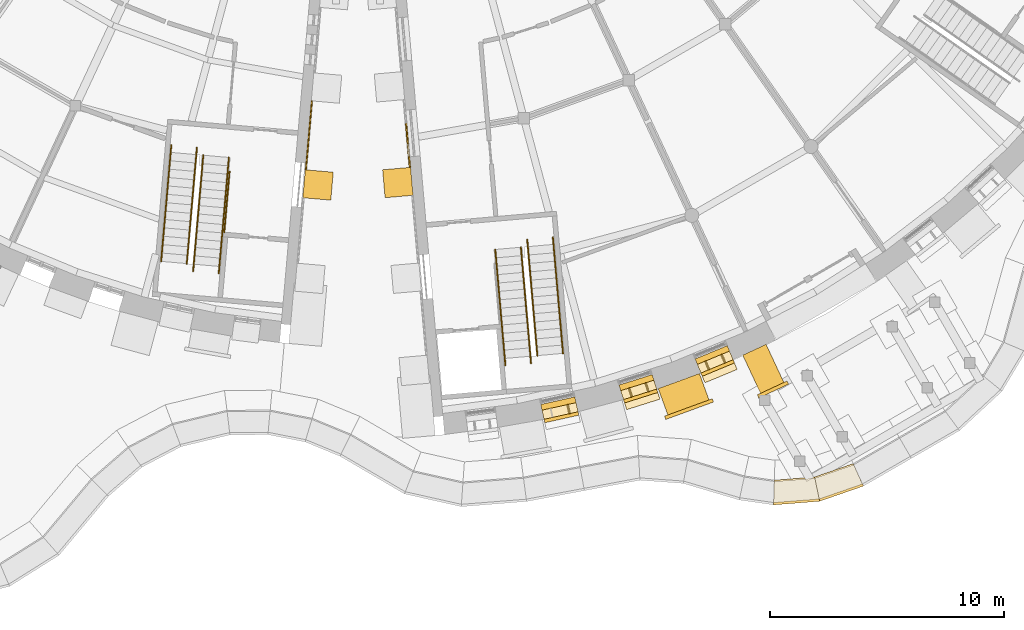
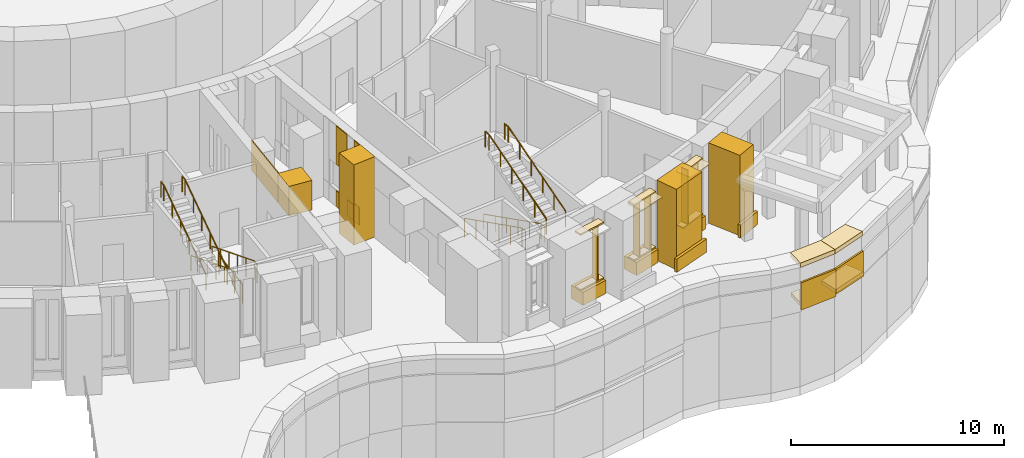
# One storey, part 66 of 85: 34 coverings, 9 railings.
"""IFC4 building model written with IfcOpenShell, lengths in metres."""

from ifc_helpers import new_model, si_unit, direction, frame, origin, origin_2d, place, context, subcontext, project, spatial, polyline, rectangle, circle, outline, extrude, material, layer, layer_set, type_object, element, save


model = new_model("IFC4")

# Units and contexts
model_context = context("Model", 3, precision=1e-05, world=origin(), true_north=direction((0.0, 1.0)))
body_context = subcontext(model_context, "Body", "Model", "MODEL_VIEW")
ifc_project = project(units=[si_unit("LENGTHUNIT", "METRE"), si_unit("AREAUNIT", "SQUARE_METRE"), si_unit("VOLUMEUNIT", "CUBIC_METRE"), si_unit("PLANEANGLEUNIT", "RADIAN"), si_unit("MASSUNIT", "GRAM", prefix="KILO")], contexts=[model_context])

# Site, building, storey
site_placement = place(None, origin())
site = spatial("IfcSite", under=ifc_project, at=site_placement, CompositionType="ELEMENT")
building_placement = place(site_placement, origin())
building = spatial("IfcBuilding", under=site, at=building_placement, Name="Volute Hill Aquarium", CompositionType="ELEMENT")
storey_placement = place(building_placement, origin())
storey = spatial("IfcBuildingStorey", under=building, at=storey_placement, Name="L01", CompositionType="ELEMENT", Elevation=0.0)

# Coverings
ifc_material_1 = material(Name="Blue limestone", Category="masonry")
covering_type_1 = type_object("IfcCoveringType", Name="Bluestone plinth block 275x750", PredefinedType="CLADDING", material=ifc_material_1)
for number, where, z_axis, x_axis, name in (
    (1, (8.627685546875, -38.91748046875, 0.0), (0.0, 0.0, 1.0), (0.976296993237, 0.216435165805, 0.0), "Bluestone plinth BPN S3 L01 2"),
    (2, (11.98681640625, -38.017333984375, 0.0), (0.0, 0.0, 1.0), (0.953713922474, 0.300715403793, 0.0), "Bluestone plinth BPN S3 L01 3"),
    (3, (15.254638671875, -36.827880859375, 0.0), (0.0, 0.0, 1.0), (0.923875360833, 0.382693503532, 0.0), "Bluestone plinth BPN S3 L01 4"),
):
    element("IfcCovering", number, at=place(storey_placement, frame(where, z_axis=z_axis, x_axis=x_axis)), inside=storey, type_object=covering_type_1, Name=name, PredefinedType="CLADDING", context=body_context, shape_type="SweptSolid", body=[
        extrude(rectangle(XDim=1.4892578125, YDim=0.800048828125, at=origin_2d()), origin(), (0.0, 0.0, 1.0), 0.75),
    ])
ifc_material_2 = material(Name="Blue limestone", Category="masonry")
ifc_layer_1 = layer(ifc_material_2, 0.14990234375)
ifc_layer_set_1 = layer_set([ifc_layer_1], Name="Bluestone plinth plate 150x750")
covering_type_2 = type_object("IfcCoveringType", Name="Bluestone plinth plate 150x750", PredefinedType="CLADDING", material=ifc_layer_set_1)
covering_1_placement = place(storey_placement, frame((14.1533203125, -38.885986328125, 0.0), z_axis=(0.0, 0.0, 1.0), x_axis=(0.939692620786, 0.342020143326, 0.0)))
element("IfcCovering", 4, at=covering_1_placement, inside=storey, type_object=covering_type_2, Name="Bluestone plinth BP S3 L01 3", PredefinedType="CLADDING", context=body_context, shape_type="SweptSolid", body=[
    extrude(rectangle(XDim=2.17529296875, YDim=0.14990234375, at=origin_2d()), origin(), (0.0, 0.0, 1.0), 0.75),
])
covering_2_placement = place(storey_placement, frame((17.7421875, -38.048095703125, 0.0), z_axis=(0.0, 0.0, 1.0), x_axis=(0.906307787037, 0.422618261741, 0.0)))
element("IfcCovering", 5, at=covering_2_placement, inside=storey, type_object=covering_type_2, Name="Bluestone plinth BP S3 L01 4", PredefinedType="CLADDING", context=body_context, shape_type="SweptSolid", body=[
    extrude(rectangle(XDim=1.39990234375, YDim=0.14990234375, at=origin_2d()), origin(), (0.0, 0.0, 1.0), 0.75),
])
ifc_material_3 = material(Name="Blue limestone", Category="masonry")
ifc_layer_2 = layer(ifc_material_3, 0.06005859375)
ifc_layer_set_2 = layer_set([ifc_layer_2], Name="End wall plinth blue limestone 60")
covering_type_3 = type_object("IfcCoveringType", Name="End wall plinth blue limestone 60", PredefinedType="CLADDING", material=ifc_layer_set_2)
covering_3_placement = place(storey_placement, frame((2.02099609375, -26.656494140625, 0.0), z_axis=(-0.996202838325, -0.087062649361, 0.0), x_axis=(0.087062649361, -0.996202838325, 0.0)))
element("IfcCovering", 6, at=covering_3_placement, inside=storey, type_object=covering_type_3, Name="End wall plinth EWL S3A L01 2", PredefinedType="CLADDING", context=body_context, shape_type="SweptSolid", body=[
    extrude(outline(polyline([(0.0, 0.0), (0.9001465174833022, 0.0), (0.9001465174833022, 0.8999023437500002), (0.0, 0.8999023437500002), (0.0, 0.0)])), origin(), (0.0, 0.0, -1.0), 0.06005859375),
])
covering_4_placement = place(storey_placement, frame((2.099365234375, -27.55322265625, 0.0), z_axis=(-0.996180782713, -0.087314650278, 0.0), x_axis=(0.087314650278, -0.996180782713, 0.0)))
element("IfcCovering", 7, at=covering_4_placement, inside=storey, type_object=covering_type_3, Name="End wall plinth EWL S3A L01 2", PredefinedType="CLADDING", context=body_context, shape_type="SweptSolid", body=[
    extrude(outline(polyline([(0.0, 0.0), (0.5536280978769228, 0.0), (0.5536280978769228, 0.8999023437500002), (0.0, 0.8999023437500002), (0.0, 0.0)])), origin(), (0.0, 0.0, -1.0), 0.06005859375),
])
covering_5_placement = place(storey_placement, frame((2.147705078125, -28.104736328125, 0.0), z_axis=(-0.996177209405, -0.087355408886, 0.0), x_axis=(0.087355408886, -0.996177209405, 0.0)))
element("IfcCovering", 8, at=covering_5_placement, inside=storey, type_object=covering_type_3, Name="End wall plinth EWL S3A L01 2", PredefinedType="CLADDING", context=body_context, shape_type="SweptSolid", body=[
    extrude(outline(polyline([(0.0, 0.0), (0.4499622991451707, 0.0), (0.4499622991451707, 1.0), (0.0, 1.0), (0.0, 0.0)])), origin(), (0.0, 0.0, -1.0), 0.06005859375),
])
ifc_material_4 = material(Name="Precast concrete C40/50", Category="concrete")
covering_type_4 = type_object("IfcCoveringType", Name="End wall precast fin C40/50 1200x1200", PredefinedType="CLADDING", material=ifc_material_4)
covering_6_placement = place(storey_placement, frame((-1.71044921875, -29.302490234375, 2.89990234375), z_axis=(0.0, 0.0, 1.0), x_axis=(-0.087158138485, -0.996194488489, 0.0)))
element("IfcCovering", 9, at=covering_6_placement, inside=storey, type_object=covering_type_4, Name="End wall fin EWF S2B L01 3", PredefinedType="CLADDING", context=body_context, shape_type="SweptSolid", body=[
    extrude(rectangle(XDim=1.199951171875, YDim=1.199951171875, at=origin_2d()), origin(), (0.0, 0.0, 1.0), 1.699951171875),
])
covering_7_placement = place(storey_placement, frame((1.701171875, -29.19775390625, 0.0), z_axis=(0.0, 0.0, 1.0), x_axis=(0.087159823273, -0.996194341084, 0.0)))
element("IfcCovering", 10, at=covering_7_placement, inside=storey, type_object=covering_type_4, Name="End wall fin EWF S3A L01 3", PredefinedType="CLADDING", context=body_context, shape_type="SweptSolid", body=[
    extrude(rectangle(XDim=1.199951171875, YDim=1.199951171875, at=origin_2d()), origin(), (0.0, 0.0, 1.0), 4.60009765625),
])
ifc_material_5 = material(Name="Precast concrete C40/50", Category="concrete")
ifc_layer_3 = layer(ifc_material_5, 0.050048828125)
ifc_layer_set_3 = layer_set([ifc_layer_3], Name="End wall precast infill panel C40/50 50")
covering_type_5 = type_object("IfcCoveringType", Name="End wall precast infill panel C40/50 50", PredefinedType="CLADDING", material=ifc_layer_set_3)
covering_8_placement = place(storey_placement, frame((-1.997802734375, -25.70361328125, 2.89990234375), z_axis=(-0.996192464016, 0.087181274587, 0.0), x_axis=(-0.087181274587, -0.996192464016, 0.0)))
element("IfcCovering", 11, at=covering_8_placement, inside=storey, type_object=covering_type_5, Name="End wall panel EWP S2B L01 2", PredefinedType="CLADDING", context=body_context, shape_type="SweptSolid", body=[
    extrude(outline(polyline([(0.0, 0.0), (2.960000778227137, 0.0), (2.960000778227137, 1.7001953125), (0.0, 1.7001953125), (0.0, 0.0)])), origin(), (0.0, 0.0, -1.0), 0.050048828125),
])
covering_9_placement = place(storey_placement, frame((2.031005859375, -26.655517578125, 2.39990234375), z_axis=(-0.996202838325, -0.087062649361, 0.0), x_axis=(0.087062649361, -0.996202838325, 0.0)))
element("IfcCovering", 12, at=covering_9_placement, inside=storey, type_object=covering_type_5, Name="End wall panel EWP S3A L01 2", PredefinedType="CLADDING", context=body_context, shape_type="SweptSolid", body=[
    extrude(outline(polyline([(0.0, 0.0), (0.9001465174833022, 0.0), (0.9001465174833022, 2.2001953125), (0.0, 2.2001953125), (0.0, 0.0)])), origin(), (0.0, 0.0, -1.0), 0.050048828125),
])
covering_10_placement = place(storey_placement, frame((2.15771484375, -28.103759765625, 1.0), z_axis=(-0.996228368635, -0.086770026664, 0.0), x_axis=(0.086770026664, -0.996228368635, 0.0)))
element("IfcCovering", 13, at=covering_10_placement, inside=storey, type_object=covering_type_5, Name="End wall panel EWP S3A L01 2", PredefinedType="CLADDING", context=body_context, shape_type="SweptSolid", body=[
    extrude(outline(polyline([(0.0, 0.0), (0.450184257189537, 0.0), (0.450184257189537, 3.6000976562499996), (0.0, 3.6000976562499996), (0.0, 0.0)])), origin(), (0.0, 0.0, -1.0), 0.050048828125),
])

# Railings
ifc_material_6 = material(Name="Stainless steel 1.4301", Category="steel")
railing_type_1 = type_object("IfcRailingType", Name="Guard 1100 stainless", PredefinedType="GUARDRAIL", material=ifc_material_6)
railing_1_placement = place(storey_placement, frame((-5.721435546875, -31.320556640625, 0.0)))
element("IfcRailing", 14, at=railing_1_placement, inside=storey, type_object=railing_type_1, Name="gd/S2-B/L01/edge", PredefinedType="GUARDRAIL", context=body_context, shape_type="SweptSolid", body=[
    extrude(circle(Radius=0.02392578125, at=origin_2d()), frame((0.0, 0.0, 1.076171875), z_axis=(0.087140158824, 0.996196061386, 0.0), x_axis=(-0.996196061386, 0.087140158824, 0.0)), (0.0, 0.0, 1.0), 2.60009765625),
    extrude(circle(Radius=0.02099609375, at=origin_2d()), origin(), (0.0, 0.0, 1.0), 1.052001953125),
    extrude(circle(Radius=0.02099609375, at=origin_2d()), frame((0.075439453125, 0.86328125, 0.0)), (0.0, 0.0, 1.0), 1.052001953125),
    extrude(circle(Radius=0.02099609375, at=origin_2d()), frame((0.151123046875, 1.726806640625, 0.0)), (0.0, 0.0, 1.0), 1.052001953125),
    extrude(circle(Radius=0.02099609375, at=origin_2d()), frame((0.2265625, 2.590087890625, 0.0)), (0.0, 0.0, 1.0), 1.052001953125),
])
railing_2_placement = place(storey_placement, frame((-5.522216796875, -28.125732421875, 0.164306640625)))
element("IfcRailing", 15, at=railing_2_placement, inside=storey, type_object=railing_type_1, Name="gd/S2-B/L01/1", PredefinedType="GUARDRAIL", context=body_context, shape_type="SweptSolid", body=[
    extrude(circle(Radius=0.02392578125, at=origin_2d()), frame((0.0, 0.0, 1.076171875), z_axis=(-0.079304208105, -0.90627956791, 0.415172479057), x_axis=(0.996193264484, -0.087172127406, 0.0)), (0.0, 0.0, 1.0), 5.144287109375),
    extrude(circle(Radius=0.02392578125, at=origin_2d()), frame((-0.407958984375, -4.662109375, 3.2119140625), z_axis=(-0.08701562718, -0.996206946687, 0.0), x_axis=(0.996206946687, -0.08701562718, 0.0)), (0.0, 0.0, 1.0), 0.30029296875),
    extrude(circle(Radius=0.02099609375, at=origin_2d()), origin(), (0.0, 0.0, 1.0), 1.052001953125),
    extrude(circle(Radius=0.02099609375, at=origin_2d()), frame((-0.08154296875, -0.932373046875, 0.42724609375)), (0.0, 0.0, 1.0), 1.052001953125),
    extrude(circle(Radius=0.02099609375, at=origin_2d()), frame((-0.1630859375, -1.86474609375, 0.854248046875)), (0.0, 0.0, 1.0), 1.052001953125),
    extrude(circle(Radius=0.02099609375, at=origin_2d()), frame((-0.244873046875, -2.79736328125, 1.281494140625)), (0.0, 0.0, 1.0), 1.052001953125),
    extrude(circle(Radius=0.02099609375, at=origin_2d()), frame((-0.326416015625, -3.729736328125, 1.70849609375)), (0.0, 0.0, 1.0), 1.052001953125),
    extrude(circle(Radius=0.02099609375, at=origin_2d()), frame((-0.407958984375, -4.662109375, 2.1357421875)), (0.0, 0.0, 1.0), 1.052001953125),
    extrude(circle(Radius=0.02099609375, at=origin_2d()), frame((-0.43408203125, -4.961181640625, 2.1357421875)), (0.0, 0.0, 1.0), 1.052001953125),
])
railing_3_placement = place(storey_placement, frame((5.86669921875, -32.060791015625, 0.164306640625)))
element("IfcRailing", 16, at=railing_3_placement, inside=storey, type_object=railing_type_1, Name="gd/S3-A/L01/1", PredefinedType="GUARDRAIL", context=body_context, shape_type="SweptSolid", body=[
    extrude(circle(Radius=0.02392578125, at=origin_2d()), frame((0.0, 0.0, 1.076171875), z_axis=(0.079257047186, -0.906282977881, 0.415174041187), x_axis=(0.996197793412, 0.087120355834, 0.0)), (0.0, 0.0, 1.0), 5.144287109375),
    extrude(circle(Radius=0.02392578125, at=origin_2d()), frame((0.40771484375, -4.662109375, 3.2119140625), z_axis=(0.087086179441, -0.996200781645, 0.0), x_axis=(0.996200781645, 0.087086179441, 0.0)), (0.0, 0.0, 1.0), 0.300048828125),
    extrude(circle(Radius=0.02099609375, at=origin_2d()), origin(), (0.0, 0.0, 1.0), 1.052001953125),
    extrude(circle(Radius=0.02099609375, at=origin_2d()), frame((0.08154296875, -0.932373046875, 0.42724609375)), (0.0, 0.0, 1.0), 1.052001953125),
    extrude(circle(Radius=0.02099609375, at=origin_2d()), frame((0.1630859375, -1.86474609375, 0.854248046875)), (0.0, 0.0, 1.0), 1.052001953125),
    extrude(circle(Radius=0.02099609375, at=origin_2d()), frame((0.24462890625, -2.79736328125, 1.281494140625)), (0.0, 0.0, 1.0), 1.052001953125),
    extrude(circle(Radius=0.02099609375, at=origin_2d()), frame((0.326171875, -3.729736328125, 1.70849609375)), (0.0, 0.0, 1.0), 1.052001953125),
    extrude(circle(Radius=0.02099609375, at=origin_2d()), frame((0.40771484375, -4.662109375, 2.1357421875)), (0.0, 0.0, 1.0), 1.052001953125),
    extrude(circle(Radius=0.02099609375, at=origin_2d()), frame((0.433837890625, -4.9609375, 2.1357421875)), (0.0, 0.0, 1.0), 1.052001953125),
])
ifc_material_7 = material(Name="Stainless steel 1.4301", Category="steel")
railing_type_2 = type_object("IfcRailingType", Name="Handrail 48 stainless", PredefinedType="HANDRAIL", material=ifc_material_7)
railing_4_placement = place(storey_placement, frame((-6.6181640625, -28.02978515625, 0.164306640625)))
element("IfcRailing", 17, at=railing_4_placement, inside=storey, type_object=railing_type_2, Name="hr/S2-B/L01/2", PredefinedType="HANDRAIL", context=body_context, shape_type="SweptSolid", body=[
    extrude(circle(Radius=0.02392578125, at=origin_2d()), frame((0.0, 0.0, 0.8759765625), z_axis=(-0.079257047186, -0.906282977881, 0.415174041187), x_axis=(0.996197793412, -0.087120355834, 0.0)), (0.0, 0.0, 1.0), 5.144287109375),
    extrude(circle(Radius=0.02392578125, at=origin_2d()), frame((-0.40771484375, -4.662109375, 3.01171875), z_axis=(-0.087822613866, -0.996136129499, 0.0), x_axis=(0.996136129499, -0.087822613866, 0.0)), (0.0, 0.0, 1.0), 0.30029296875),
    extrude(circle(Radius=0.02099609375, at=origin_2d()), origin(), (0.0, 0.0, 1.0), 0.851806640625),
    extrude(circle(Radius=0.02099609375, at=origin_2d()), frame((-0.08154296875, -0.932373046875, 0.42724609375)), (0.0, 0.0, 1.0), 0.851806640625),
    extrude(circle(Radius=0.02099609375, at=origin_2d()), frame((-0.1630859375, -1.86474609375, 0.854248046875)), (0.0, 0.0, 1.0), 0.851806640625),
    extrude(circle(Radius=0.02099609375, at=origin_2d()), frame((-0.24462890625, -2.79736328125, 1.281494140625)), (0.0, 0.0, 1.0), 0.851806640625),
    extrude(circle(Radius=0.02099609375, at=origin_2d()), frame((-0.326171875, -3.729736328125, 1.70849609375)), (0.0, 0.0, 1.0), 0.851806640625),
    extrude(circle(Radius=0.02099609375, at=origin_2d()), frame((-0.40771484375, -4.662109375, 2.1357421875)), (0.0, 0.0, 1.0), 0.851806640625),
    extrude(circle(Radius=0.02099609375, at=origin_2d()), frame((-0.43408203125, -4.961181640625, 2.1357421875)), (0.0, 0.0, 1.0), 0.851806640625),
])
railing_5_placement = place(storey_placement, frame((-7.324951171875, -32.666015625, 2.46435546875)))
element("IfcRailing", 18, at=railing_5_placement, inside=storey, type_object=railing_type_2, Name="hr/S2-B/L01/3", PredefinedType="HANDRAIL", context=body_context, shape_type="SweptSolid", body=[
    extrude(circle(Radius=0.02392578125, at=origin_2d()), frame((0.0, 0.0, 0.8759765625), z_axis=(0.079300797264, 0.906288046285, 0.415154622658), x_axis=(-0.996193660874, 0.087167597388, 0.0)), (0.0, 0.0, 1.0), 5.14453125),
    extrude(circle(Radius=0.02392578125, at=origin_2d()), frame((0.407958984375, 4.662353515625, 3.01171875), z_axis=(0.087086179441, 0.996200781645, 0.0), x_axis=(-0.996200781645, 0.087086179441, 0.0)), (0.0, 0.0, 1.0), 0.300048828125),
    extrude(circle(Radius=0.02099609375, at=origin_2d()), origin(), (0.0, 0.0, 1.0), 0.851806640625),
    extrude(circle(Radius=0.02099609375, at=origin_2d()), frame((0.08154296875, 0.932373046875, 0.42724609375)), (0.0, 0.0, 1.0), 0.851806640625),
    extrude(circle(Radius=0.02099609375, at=origin_2d()), frame((0.1630859375, 1.864990234375, 0.854248046875)), (0.0, 0.0, 1.0), 0.851806640625),
    extrude(circle(Radius=0.02099609375, at=origin_2d()), frame((0.244873046875, 2.79736328125, 1.281494140625)), (0.0, 0.0, 1.0), 0.851806640625),
    extrude(circle(Radius=0.02099609375, at=origin_2d()), frame((0.326416015625, 3.72998046875, 1.70849609375)), (0.0, 0.0, 1.0), 0.851806640625),
    extrude(circle(Radius=0.02099609375, at=origin_2d()), frame((0.407958984375, 4.662353515625, 2.1357421875)), (0.0, 0.0, 1.0), 0.851806640625),
    extrude(circle(Radius=0.02099609375, at=origin_2d()), frame((0.43408203125, 4.961181640625, 2.1357421875)), (0.0, 0.0, 1.0), 0.851806640625),
])
railing_6_placement = place(storey_placement, frame((-8.420654296875, -32.570068359375, 2.46435546875)))
element("IfcRailing", 19, at=railing_6_placement, inside=storey, type_object=railing_type_2, Name="hr/S2-B/L01/4", PredefinedType="HANDRAIL", context=body_context, shape_type="SweptSolid", body=[
    extrude(circle(Radius=0.02392578125, at=origin_2d()), frame((0.0, 0.0, 0.8759765625), z_axis=(0.079300797264, 0.906288046285, 0.415154622658), x_axis=(-0.996193660874, 0.087167597388, 0.0)), (0.0, 0.0, 1.0), 5.14453125),
    extrude(circle(Radius=0.02392578125, at=origin_2d()), frame((0.407958984375, 4.662353515625, 3.01171875), z_axis=(0.086278376837, 0.99627106838, 0.0), x_axis=(-0.99627106838, 0.086278376837, 0.0)), (0.0, 0.0, 1.0), 0.300048828125),
    extrude(circle(Radius=0.02099609375, at=origin_2d()), origin(), (0.0, 0.0, 1.0), 0.851806640625),
    extrude(circle(Radius=0.02099609375, at=origin_2d()), frame((0.08154296875, 0.932373046875, 0.42724609375)), (0.0, 0.0, 1.0), 0.851806640625),
    extrude(circle(Radius=0.02099609375, at=origin_2d()), frame((0.1630859375, 1.864990234375, 0.854248046875)), (0.0, 0.0, 1.0), 0.851806640625),
    extrude(circle(Radius=0.02099609375, at=origin_2d()), frame((0.244873046875, 2.79736328125, 1.281494140625)), (0.0, 0.0, 1.0), 0.851806640625),
    extrude(circle(Radius=0.02099609375, at=origin_2d()), frame((0.326416015625, 3.72998046875, 1.70849609375)), (0.0, 0.0, 1.0), 0.851806640625),
    extrude(circle(Radius=0.02099609375, at=origin_2d()), frame((0.407958984375, 4.662353515625, 2.1357421875)), (0.0, 0.0, 1.0), 0.851806640625),
    extrude(circle(Radius=0.02099609375, at=origin_2d()), frame((0.433837890625, 4.961181640625, 2.1357421875)), (0.0, 0.0, 1.0), 0.851806640625),
])
railing_7_placement = place(storey_placement, frame((6.96240234375, -31.96484375, 0.164306640625)))
element("IfcRailing", 20, at=railing_7_placement, inside=storey, type_object=railing_type_2, Name="hr/S3-A/L01/2", PredefinedType="HANDRAIL", context=body_context, shape_type="SweptSolid", body=[
    extrude(circle(Radius=0.02392578125, at=origin_2d()), frame((0.0, 0.0, 0.8759765625), z_axis=(0.079304208105, -0.90627956791, 0.415172479057), x_axis=(0.996193264484, 0.087172127406, 0.0)), (0.0, 0.0, 1.0), 5.144287109375),
    extrude(circle(Radius=0.02392578125, at=origin_2d()), frame((0.407958984375, -4.662109375, 3.01171875), z_axis=(0.087086179441, -0.996200781645, 0.0), x_axis=(0.996200781645, 0.087086179441, 0.0)), (0.0, 0.0, 1.0), 0.300048828125),
    extrude(circle(Radius=0.02099609375, at=origin_2d()), origin(), (0.0, 0.0, 1.0), 0.851806640625),
    extrude(circle(Radius=0.02099609375, at=origin_2d()), frame((0.08154296875, -0.932373046875, 0.42724609375)), (0.0, 0.0, 1.0), 0.851806640625),
    extrude(circle(Radius=0.02099609375, at=origin_2d()), frame((0.1630859375, -1.86474609375, 0.854248046875)), (0.0, 0.0, 1.0), 0.851806640625),
    extrude(circle(Radius=0.02099609375, at=origin_2d()), frame((0.244873046875, -2.79736328125, 1.281494140625)), (0.0, 0.0, 1.0), 0.851806640625),
    extrude(circle(Radius=0.02099609375, at=origin_2d()), frame((0.326416015625, -3.729736328125, 1.70849609375)), (0.0, 0.0, 1.0), 0.851806640625),
    extrude(circle(Radius=0.02099609375, at=origin_2d()), frame((0.407958984375, -4.662109375, 2.1357421875)), (0.0, 0.0, 1.0), 0.851806640625),
    extrude(circle(Radius=0.02099609375, at=origin_2d()), frame((0.43408203125, -4.9609375, 2.1357421875)), (0.0, 0.0, 1.0), 0.851806640625),
])
railing_8_placement = place(storey_placement, frame((7.669189453125, -36.600830078125, 2.46435546875)))
element("IfcRailing", 21, at=railing_8_placement, inside=storey, type_object=railing_type_2, Name="hr/S3-A/L01/3", PredefinedType="HANDRAIL", context=body_context, shape_type="SweptSolid", body=[
    extrude(circle(Radius=0.02392578125, at=origin_2d()), frame((0.0, 0.0, 0.8759765625), z_axis=(-0.079304208105, 0.90627956791, 0.415172479057), x_axis=(-0.996193264484, -0.087172127406, 0.0)), (0.0, 0.0, 1.0), 5.144287109375),
    extrude(circle(Radius=0.02392578125, at=origin_2d()), frame((-0.407958984375, 4.662109375, 3.01171875), z_axis=(-0.087086179441, 0.996200781645, 0.0), x_axis=(-0.996200781645, -0.087086179441, 0.0)), (0.0, 0.0, 1.0), 0.300048828125),
    extrude(circle(Radius=0.02099609375, at=origin_2d()), origin(), (0.0, 0.0, 1.0), 0.851806640625),
    extrude(circle(Radius=0.02099609375, at=origin_2d()), frame((-0.08154296875, 0.932373046875, 0.42724609375)), (0.0, 0.0, 1.0), 0.851806640625),
    extrude(circle(Radius=0.02099609375, at=origin_2d()), frame((-0.1630859375, 1.86474609375, 0.854248046875)), (0.0, 0.0, 1.0), 0.851806640625),
    extrude(circle(Radius=0.02099609375, at=origin_2d()), frame((-0.244873046875, 2.79736328125, 1.281494140625)), (0.0, 0.0, 1.0), 0.851806640625),
    extrude(circle(Radius=0.02099609375, at=origin_2d()), frame((-0.326416015625, 3.729736328125, 1.70849609375)), (0.0, 0.0, 1.0), 0.851806640625),
    extrude(circle(Radius=0.02099609375, at=origin_2d()), frame((-0.407958984375, 4.662109375, 2.1357421875)), (0.0, 0.0, 1.0), 0.851806640625),
    extrude(circle(Radius=0.02099609375, at=origin_2d()), frame((-0.43408203125, 4.9609375, 2.1357421875)), (0.0, 0.0, 1.0), 0.851806640625),
])
railing_9_placement = place(storey_placement, frame((8.764892578125, -36.5048828125, 2.46435546875)))
element("IfcRailing", 22, at=railing_9_placement, inside=storey, type_object=railing_type_2, Name="hr/S3-A/L01/4", PredefinedType="HANDRAIL", context=body_context, shape_type="SweptSolid", body=[
    extrude(circle(Radius=0.02392578125, at=origin_2d()), frame((0.0, 0.0, 0.8759765625), z_axis=(-0.079257047186, 0.906282977881, 0.415174041187), x_axis=(-0.996197793412, -0.087120355834, 0.0)), (0.0, 0.0, 1.0), 5.144287109375),
    extrude(circle(Radius=0.02392578125, at=origin_2d()), frame((-0.40771484375, 4.662109375, 3.01171875), z_axis=(-0.087893810296, 0.996129850025, 0.0), x_axis=(-0.996129850025, -0.087893810296, 0.0)), (0.0, 0.0, 1.0), 0.300048828125),
    extrude(circle(Radius=0.02099609375, at=origin_2d()), origin(), (0.0, 0.0, 1.0), 0.851806640625),
    extrude(circle(Radius=0.02099609375, at=origin_2d()), frame((-0.08154296875, 0.932373046875, 0.42724609375)), (0.0, 0.0, 1.0), 0.851806640625),
    extrude(circle(Radius=0.02099609375, at=origin_2d()), frame((-0.1630859375, 1.86474609375, 0.854248046875)), (0.0, 0.0, 1.0), 0.851806640625),
    extrude(circle(Radius=0.02099609375, at=origin_2d()), frame((-0.24462890625, 2.79736328125, 1.281494140625)), (0.0, 0.0, 1.0), 0.851806640625),
    extrude(circle(Radius=0.02099609375, at=origin_2d()), frame((-0.326171875, 3.729736328125, 1.70849609375)), (0.0, 0.0, 1.0), 0.851806640625),
    extrude(circle(Radius=0.02099609375, at=origin_2d()), frame((-0.40771484375, 4.662109375, 2.1357421875)), (0.0, 0.0, 1.0), 0.851806640625),
    extrude(circle(Radius=0.02099609375, at=origin_2d()), frame((-0.43408203125, 4.9609375, 2.1357421875)), (0.0, 0.0, 1.0), 0.851806640625),
])

# Coverings
ifc_material_8 = material(Name="Aluminium, anodised", Category="aluminium")
ifc_layer_4 = layer(ifc_material_8, 0.080078125)
ifc_layer_set_4 = layer_set([ifc_layer_4], Name="Horizontal brise-soleil eyebrow 900x80")
covering_type_6 = type_object("IfcCoveringType", Name="Horizontal brise-soleil eyebrow 900x80", PredefinedType="CLADDING", material=ifc_layer_set_4)
for number, where, z_axis, x_axis, name in (
    (23, (12.06201171875, -38.255859375, 3.81005859375), (0.0, 0.0, 1.0), (0.953713922474, 0.300715403793, 0.0), "Brise-soleil eyebrow BS S3 L01 3.1"),
    (24, (15.350341796875, -37.058837890625, 3.81005859375), (0.0, 0.0, 1.0), (0.923875360833, 0.382693503532, 0.0), "Brise-soleil eyebrow BS S3 L01 4.1"),
):
    element("IfcCovering", number, at=place(storey_placement, frame(where, z_axis=z_axis, x_axis=x_axis)), inside=storey, type_object=covering_type_6, Name=name, PredefinedType="CLADDING", context=body_context, shape_type="SweptSolid", body=[
        extrude(rectangle(XDim=1.4892578125, YDim=0.89990234375, at=origin_2d()), origin(), (0.0, 0.0, 1.0), 0.080078125),
    ])
ifc_material_9 = material(Name="Precast concrete C40/50", Category="concrete")
ifc_layer_5 = layer(ifc_material_9, 0.25)
ifc_layer_set_5 = layer_set([ifc_layer_5], Name="Plinth coping precast concrete C40/50 1000")
covering_type_7 = type_object("IfcCoveringType", Name="Plinth coping precast concrete C40/50 1000", PredefinedType="CLADDING", material=ifc_layer_set_5)
covering_11_placement = place(storey_placement, frame((0.0, 0.0, 0.85009765625)))
element("IfcCovering", 25, at=covering_11_placement, inside=storey, type_object=covering_type_7, Name="cp/E32UP/L01/0", PredefinedType="CLADDING", context=body_context, shape_type="SweptSolid", body=[
    extrude(outline(polyline([(19.728759765625, -42.778076171875), (19.728759765625, -42.778076171875), (19.522216796875, -41.791259765625), (19.522216796875, -41.791259765625), (17.801513671875, -41.92822265625), (17.769775390625, -42.933837890625), (17.769775390625, -42.933837890625), (19.728759765625, -42.778076171875)])), origin(), (0.0, 0.0, 1.0), 0.25),
])
covering_12_placement = place(storey_placement, frame((0.0, 0.0, 0.85009765625)))
element("IfcCovering", 26, at=covering_12_placement, inside=storey, type_object=covering_type_7, Name="cp/E33UP/L01/0", PredefinedType="CLADDING", context=body_context, shape_type="SweptSolid", body=[
    extrude(outline(polyline([(19.728759765625, -42.778076171875), (21.58984375, -42.1337890625), (21.172607421875, -41.219970703125), (19.522216796875, -41.791259765625), (19.728759765625, -42.778076171875)])), origin(), (0.0, 0.0, 1.0), 0.25),
])
ifc_material_10 = material(Name="Precast concrete C40/50", Category="concrete")
ifc_layer_6 = layer(ifc_material_10, 0.199951171875)
ifc_layer_set_6 = layer_set([ifc_layer_6], Name="Plinth grade course precast concrete C40/50 1100")
covering_type_8 = type_object("IfcCoveringType", Name="Plinth grade course precast concrete C40/50 1100", PredefinedType="CLADDING", material=ifc_layer_set_6)
covering_13_placement = place(storey_placement, frame((0.0, 0.0, -1.375)))
element("IfcCovering", 27, at=covering_13_placement, inside=storey, type_object=covering_type_8, Name="gc/E32UP/L01/0", PredefinedType="CLADDING", context=body_context, shape_type="SweptSolid", body=[
    extrude(outline(polyline([(19.7392578125, -42.827392578125), (19.7392578125, -42.827392578125), (19.53271484375, -41.840576171875), (19.53271484375, -41.840576171875), (17.800048828125, -41.978515625), (17.76806640625, -42.984130859375), (17.76806640625, -42.984130859375), (19.7392578125, -42.827392578125)])), origin(), (0.0, 0.0, 1.0), 0.199951171875),
])
covering_14_placement = place(storey_placement, frame((0.0, 0.0, -1.375)))
element("IfcCovering", 28, at=covering_14_placement, inside=storey, type_object=covering_type_8, Name="gc/E33UP/L01/0", PredefinedType="CLADDING", context=body_context, shape_type="SweptSolid", body=[
    extrude(outline(polyline([(19.7392578125, -42.827392578125), (21.610595703125, -42.179443359375), (21.193359375, -41.265869140625), (19.53271484375, -41.840576171875), (19.7392578125, -42.827392578125)])), origin(), (0.0, 0.0, 1.0), 0.199951171875),
])
ifc_material_11 = material(Name="Precast concrete C40/50", Category="concrete")
covering_type_9 = type_object("IfcCoveringType", Name="Projecting pier precast concrete C40/50 1100x1800", PredefinedType="CLADDING", material=ifc_material_11)
covering_15_placement = place(storey_placement, frame((17.330078125, -37.16455078125, 0.0), z_axis=(0.0, 0.0, 1.0), x_axis=(0.906307787037, 0.422618261741, 0.0)))
element("IfcCovering", 29, at=covering_15_placement, inside=storey, type_object=covering_type_9, Name="Projecting pier PP S3 L01 4", PredefinedType="CLADDING", context=body_context, shape_type="SweptSolid", body=[
    extrude(rectangle(XDim=1.10009765625, YDim=1.800048828125, at=origin_2d()), origin(), (0.0, 0.0, 1.0), 4.60009765625),
])
ifc_material_12 = material(Name="Precast concrete C40/50", Category="concrete")
covering_type_10 = type_object("IfcCoveringType", Name="Projecting pier precast concrete C40/50 1875x1200", PredefinedType="CLADDING", material=ifc_material_12)
covering_16_placement = place(storey_placement, frame((13.922607421875, -38.251708984375, 0.0), z_axis=(0.0, 0.0, 1.0), x_axis=(0.939692620786, 0.342020143326, 0.0)))
element("IfcCovering", 30, at=covering_16_placement, inside=storey, type_object=covering_type_10, Name="Projecting pier PP S3 L01 3", PredefinedType="CLADDING", context=body_context, shape_type="SweptSolid", body=[
    extrude(rectangle(XDim=1.87548828125, YDim=1.199951171875, at=origin_2d()), origin(), (0.0, 0.0, 1.0), 4.60009765625),
])
ifc_material_13 = material(Name="Precast concrete C40/50", Category="concrete")
ifc_layer_7 = layer(ifc_material_13, 0.10009765625)
ifc_layer_set_7 = layer_set([ifc_layer_7], Name="Retained ground face precast concrete C40/50 100")
covering_type_11 = type_object("IfcCoveringType", Name="Retained ground face precast concrete C40/50 100", PredefinedType="CLADDING", material=ifc_layer_set_7)
covering_17_placement = place(storey_placement, frame((0.0, 0.0, -1.564697265625)))
element("IfcCovering", 31, at=covering_17_placement, inside=storey, type_object=covering_type_11, Name="tg/E32UP/L01/0", PredefinedType="CLADDING", context=body_context, shape_type="SweptSolid", body=[
    extrude(outline(polyline([(19.7392578125, -42.827392578125), (19.7392578125, -42.827392578125), (19.718505859375, -42.728759765625), (19.718505859375, -42.728759765625), (17.771240234375, -42.883544921875), (17.76806640625, -42.984130859375), (17.76806640625, -42.984130859375), (19.7392578125, -42.827392578125)])), origin(), (0.0, 0.0, 1.0), 1.564697265625),
])
covering_18_placement = place(storey_placement, frame((0.0, 0.0, -1.448486328125)))
element("IfcCovering", 32, at=covering_18_placement, inside=storey, type_object=covering_type_11, Name="tg/E33UP/L01/0", PredefinedType="CLADDING", context=body_context, shape_type="SweptSolid", body=[
    extrude(outline(polyline([(19.7392578125, -42.827392578125), (21.610595703125, -42.179443359375), (21.56884765625, -42.088134765625), (19.718505859375, -42.728759765625), (19.7392578125, -42.827392578125)])), origin(), (0.0, 0.0, 1.0), 1.448486328125),
])
ifc_material_14 = material(Name="Timber, thermally modified ash", Category="wood")
covering_type_12 = type_object("IfcCoveringType", Name="Timber louvre fin 60x400", PredefinedType="CLADDING", material=ifc_material_14)
for number, where, z_axis, x_axis, name in (
    (33, (9.001953125, -38.885498046875, 0.830078125), (0.0, 0.0, 1.0), (0.976296993237, 0.216435165805, 0.0), "Timber louvre fin S3 L01 2.1.2"),
    (34, (11.646728515625, -38.177001953125, 0.830078125), (0.0, 0.0, 1.0), (0.953713922474, 0.300715403793, 0.0), "Timber louvre fin S3 L01 3.1.1"),
    (35, (12.35693359375, -37.953125, 0.830078125), (0.0, 0.0, 1.0), (0.953713922474, 0.300715403793, 0.0), "Timber louvre fin S3 L01 3.1.2"),
    (36, (14.9296875, -37.0166015625, 0.830078125), (0.0, 0.0, 1.0), (0.923875360833, 0.382693503532, 0.0), "Timber louvre fin S3 L01 4.1.1"),
    (37, (15.61767578125, -36.731689453125, 0.830078125), (0.0, 0.0, 1.0), (0.923875360833, 0.382693503532, 0.0), "Timber louvre fin S3 L01 4.1.2"),
):
    element("IfcCovering", number, at=place(storey_placement, frame(where, z_axis=z_axis, x_axis=x_axis)), inside=storey, type_object=covering_type_12, Name=name, PredefinedType="CLADDING", context=body_context, shape_type="SweptSolid", body=[
        extrude(rectangle(XDim=0.06005859375, YDim=0.39990234375, at=origin_2d()), origin(), (0.0, 0.0, 1.0), 3.090087890625),
    ])
ifc_material_15 = material(Name="Timber, thermally modified ash", Category="wood")
covering_type_13 = type_object("IfcCoveringType", Name="Timber louvre fin rail 400x80", PredefinedType="CLADDING", material=ifc_material_15)
for number, where, z_axis, x_axis, name in (
    (38, (8.638427734375, -38.966064453125, 0.75), (0.0, 0.0, 1.0), (0.976296993237, 0.216435165805, 0.0), "Timber louvre fin rail S3 L01 2.1"),
    (39, (8.638427734375, -38.966064453125, 3.919921875), (0.0, 0.0, 1.0), (0.976296993237, 0.216435165805, 0.0), "Timber louvre fin rail S3 L01 2.2"),
    (40, (12.001708984375, -38.06494140625, 0.75), (0.0, 0.0, 1.0), (0.953713922474, 0.300715403793, 0.0), "Timber louvre fin rail S3 L01 3.1"),
    (41, (12.001708984375, -38.06494140625, 3.919921875), (0.0, 0.0, 1.0), (0.953713922474, 0.300715403793, 0.0), "Timber louvre fin rail S3 L01 3.2"),
    (42, (15.273681640625, -36.8740234375, 0.75), (0.0, 0.0, 1.0), (0.923875360833, 0.382693503532, 0.0), "Timber louvre fin rail S3 L01 4.1"),
    (43, (15.273681640625, -36.8740234375, 3.919921875), (0.0, 0.0, 1.0), (0.923875360833, 0.382693503532, 0.0), "Timber louvre fin rail S3 L01 4.2"),
):
    element("IfcCovering", number, at=place(storey_placement, frame(where, z_axis=z_axis, x_axis=x_axis)), inside=storey, type_object=covering_type_13, Name=name, PredefinedType="CLADDING", context=body_context, shape_type="SweptSolid", body=[
        extrude(rectangle(XDim=1.4892578125, YDim=0.39990234375, at=origin_2d()), origin(), (0.0, 0.0, 1.0), 0.080078125),
    ])

save(model, "model.ifc")
